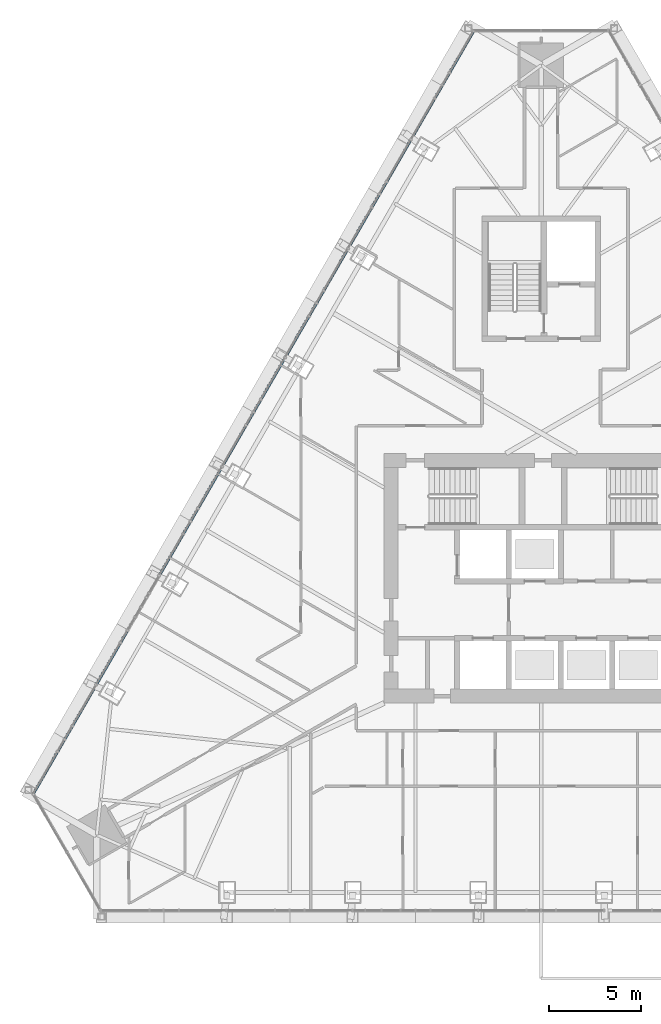
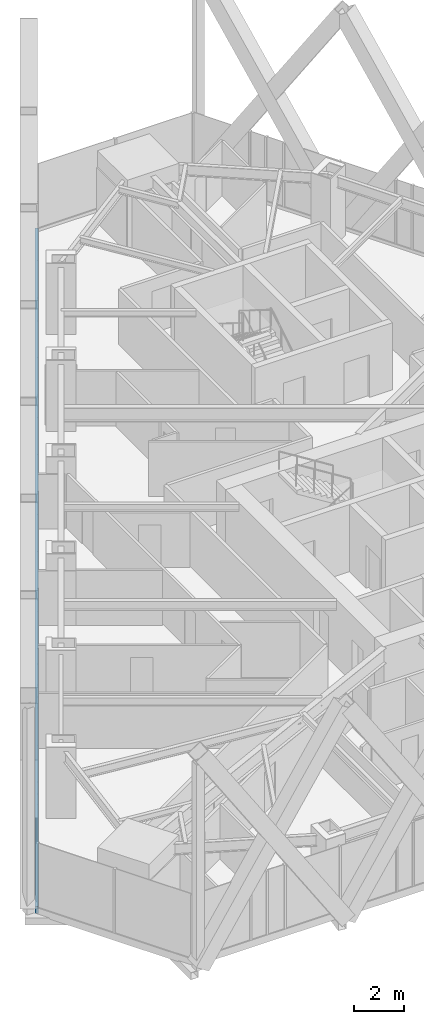
# One storey, part 6 of 24: 1 member, 1 element without a shape of its own.
"""IFC4 building model written with IfcOpenShell, lengths in metres."""

from ifc_helpers import new_model, si_unit, direction, frame, origin, origin_2d, place, context, subcontext, project, spatial, rectangle, extrude, material, layer, layer_set, material_profile, profile_set, type_object, element, aggregate, save


model = new_model("IFC4")

# Units and contexts
model_context = context("Model", 3, precision=1e-05, world=origin(), true_north=direction((0.0, 1.0)))
body_context = subcontext(model_context, "Body", "Model", "MODEL_VIEW")
ifc_project = project(units=[si_unit("LENGTHUNIT", "METRE"), si_unit("AREAUNIT", "SQUARE_METRE"), si_unit("VOLUMEUNIT", "CUBIC_METRE"), si_unit("PLANEANGLEUNIT", "RADIAN"), si_unit("MASSUNIT", "GRAM", prefix="KILO")], contexts=[model_context])

# Site, building, storey
site_placement = place(None, origin())
site = spatial("IfcSite", under=ifc_project, at=site_placement, CompositionType="ELEMENT")
building_placement = place(site_placement, origin())
building = spatial("IfcBuilding", under=site, at=building_placement, Name="Firuza Gate Tower and Library", CompositionType="ELEMENT")
storey_placement = place(building_placement, frame((0.0, 0.0, 260.10009765625)))
storey = spatial("IfcBuildingStorey", under=building, at=storey_placement, Name="L61", CompositionType="ELEMENT", Elevation=260.10009765625)

# Curtain wall, member
ifc_material_1 = material(Name="Aluminium 6063-T6", Category="aluminium")
ifc_layer = layer(ifc_material_1, 0.14990234375)
ifc_layer_set = layer_set([ifc_layer], Name="Unitised curtain wall, residences")
curtain_wall_type = type_object("IfcCurtainWallType", Name="Unitised curtain wall, residences", PredefinedType="NOTDEFINED", material=ifc_layer_set)
curtain_wall_placement = place(storey_placement, origin())
curtain_wall = element("IfcCurtainWall", 1, at=curtain_wall_placement, inside=storey, type_object=curtain_wall_type, Name="CW3 L61 W face", PredefinedType="NOTDEFINED")
ifc_material_2 = material(Name="Aluminium 6063-T6", Category="aluminium")
ifc_material_profile = material_profile(ifc_material_2, rectangle(XDim=0.14990234375, YDim=0.35009765625, at=origin_2d()))
ifc_profile_set = profile_set([ifc_material_profile], Name="Aluminium 6063-T6")
member_type = type_object("IfcMemberType", Name="Curtain wall transom 350x150", PredefinedType="USERDEFINED", material=ifc_profile_set)
member_placement = place(storey_placement, frame((71.356689453125, 104.63525390625, -0.025146484375), z_axis=(-0.500001210358, -0.866024704983, 0.0), x_axis=(0.866024704983, -0.500001210358, 0.0)))
member = element("IfcMember", 2, at=member_placement, type_object=member_type, Name="Transom", ObjectType="TRANSOM", PredefinedType="USERDEFINED", context=body_context, shape_type="SweptSolid", body=[
    extrude(rectangle(XDim=0.14990234375, YDim=0.35009765625, at=origin_2d()), origin(), (0.0, 0.0, 1.0), 47.6865234375),
])
aggregate(curtain_wall, [member])

save(model, "model.ifc")
